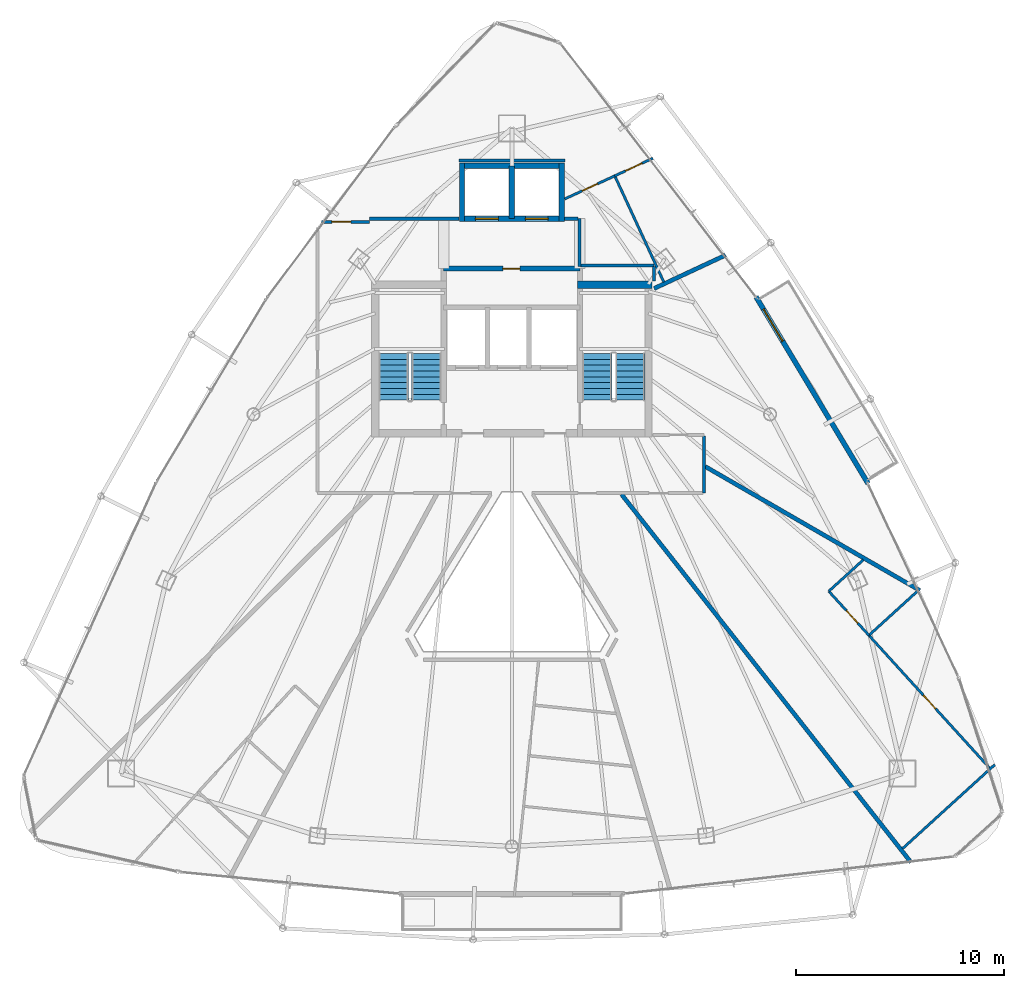
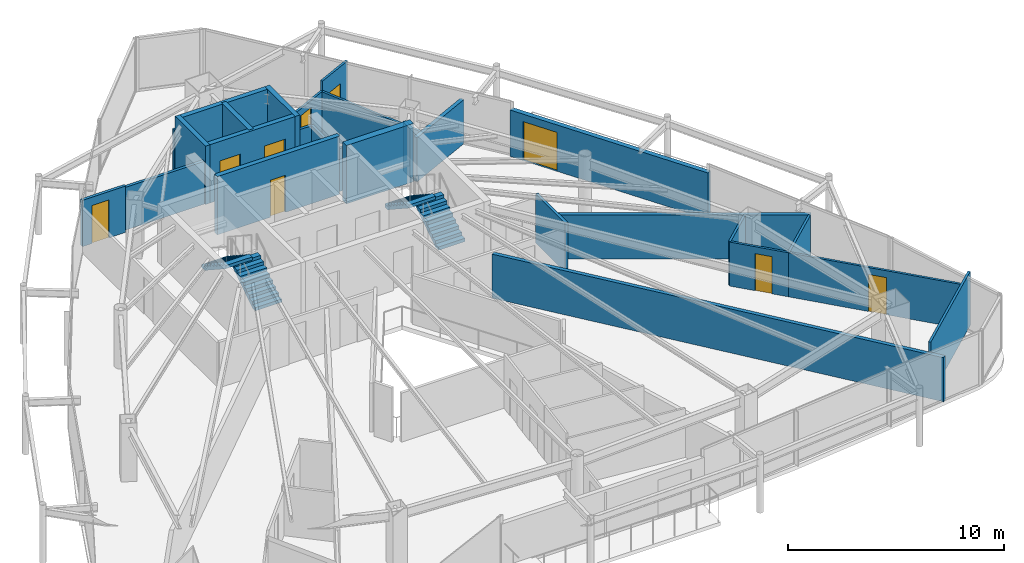
# One storey, part 30 of 33: 27 walls, 9 doors, 4 stair flights, 9 openings, 2 elements without a shape of their own.
"""IFC4 building model written with IfcOpenShell, lengths in metres."""

from ifc_helpers import new_model, si_unit, direction, frame, frame_2d, origin, place, context, subcontext, project, spatial, polyline, rectangle, outline, extrude, material, layer, layer_set, type_object, element, fill, aggregate, save


model = new_model("IFC4")

# Units and contexts
model_context = context("Model", 3, precision=1e-05, world=origin(), true_north=direction((0.0, 1.0)))
body_context = subcontext(model_context, "Body", "Model", "MODEL_VIEW")
ifc_project = project(units=[si_unit("LENGTHUNIT", "METRE"), si_unit("AREAUNIT", "SQUARE_METRE"), si_unit("VOLUMEUNIT", "CUBIC_METRE"), si_unit("PLANEANGLEUNIT", "RADIAN"), si_unit("MASSUNIT", "GRAM", prefix="KILO")], contexts=[model_context])

# Site, building, storey
site_placement = place(None, origin())
site = spatial("IfcSite", under=ifc_project, at=site_placement, CompositionType="ELEMENT")
building_placement = place(site_placement, origin())
building = spatial("IfcBuilding", under=site, at=building_placement, Name="Orvanel Arch Residences", CompositionType="ELEMENT")
storey_placement = place(building_placement, frame((0.0, 0.0, 196.39990234375)))
storey = spatial("IfcBuildingStorey", under=building, at=storey_placement, Name="L55", CompositionType="ELEMENT", Elevation=196.39990234375)

# Wall, opening, door
ifc_material_1 = material(Name="Precast concrete N50 (50 MPa)", Category="concrete")
ifc_layer_1 = layer(ifc_material_1, 0.239990234375)
ifc_layer_set_1 = layer_set([ifc_layer_1], Name="Precast concrete N50 (50 MPa)")
wall_type_1 = type_object("IfcWallType", Name="EW-BAL-240", PredefinedType="SOLIDWALL", material=ifc_layer_set_1)
wall_1_placement = place(storey_placement, frame((50.14892578125, 24.300048828125, 0.0), z_axis=(0.0, 0.0, 1.0), x_axis=(-0.514406779101, 0.857546305231, 0.0)))
wall_1 = element("IfcWall", 1, at=wall_1_placement, inside=storey, type_object=wall_type_1, Name="L55 Balcony Threshold Wall Face 3", PredefinedType="SOLIDWALL", context=body_context, shape_type="SweptSolid", body=[
    extrude(rectangle(XDim=10.49169921875, YDim=0.239990234375, at=frame_2d((5.245849609375, 0.0))), origin(), (0.0, 0.0, 1.0), 2.6240234375),
])
opening_1_placement = place(wall_1_placement, frame((7.993896484375, 0.0, 0.0)))
opening_1 = element("IfcOpeningElement", 2, at=opening_1_placement, cuts=wall_1, Name="Opening DB-180", PredefinedType="OPENING", context=body_context, shape_type="SweptSolid", body=[
    extrude(rectangle(XDim=1.800048828125, YDim=2.199951171875, at=frame_2d((0.89990234375, 1.10009765625))), frame((0.0, 0.1298828125, 0.0), z_axis=(0.0, -1.0, 0.0), x_axis=(1.0, 0.0, 0.0)), (0.0, 0.0, 1.0), 0.260009765625),
])
ifc_material_2 = material(Name="Bronze-anodised aluminium AA6063-T6", Category="aluminium")
door_type_1 = type_object("IfcDoorType", Name="DR-BAL-1800", OperationType="NOTDEFINED", PredefinedType="DOOR", material=ifc_material_2)
door_1_placement = place(opening_1_placement, origin())
door_1 = element("IfcDoor", 3, at=door_1_placement, inside=storey, type_object=door_type_1, Name="DR-L55-BAL-F3 L55 Planted Balcony Access Door Face 3", OperationType="SINGLE_SWING_LEFT", OverallHeight=2.199951171875, OverallWidth=1.800048828125, PredefinedType="DOOR", context=body_context, shape_type="SweptSolid", body=[
    extrude(rectangle(XDim=1.800048828125, YDim=2.199951171875, at=frame_2d((0.89990234375, 1.10009765625))), frame((0.0, 0.02490234375, 0.0), z_axis=(0.0, -1.0, 0.0), x_axis=(1.0, 0.0, 0.0)), (0.0, 0.0, 1.0), 0.050048828125),
])
fill(opening_1, door_1)

ifc_material_3 = material(Name="Concrete N50 (50 MPa)", Category="concrete")
ifc_layer_2 = layer(ifc_material_3, 0.25)
ifc_layer_set_2 = layer_set([ifc_layer_2], Name="Concrete N50 (50 MPa)")
wall_type_2 = type_object("IfcWallType", Name="SW-CORE-250", PredefinedType="SHEAR", material=ifc_layer_set_2)
wall_2_placement = place(storey_placement, frame((29.72509765625, 34.64990234375, 0.0), z_axis=(0.0, 0.0, 1.0), x_axis=(1.0, 0.0, 0.0)))
wall_2 = element("IfcWall", 4, at=wall_2_placement, inside=storey, type_object=wall_type_2, Name="L55 Core Service Band North Shear Wall", PredefinedType="SHEAR", context=body_context, shape_type="SweptSolid", body=[
    extrude(rectangle(XDim=6.5498046875, YDim=0.25, at=frame_2d((3.27490234375, 0.0))), origin(), (0.0, 0.0, 1.0), 3.300048828125),
])
opening_2_placement = place(wall_2_placement, frame((2.840087890625, 0.0, 0.0)))
opening_2 = element("IfcOpeningElement", 5, at=opening_2_placement, cuts=wall_2, Name="Opening DS-082", PredefinedType="OPENING", context=body_context, shape_type="SweptSolid", body=[
    extrude(rectangle(XDim=0.820068359375, YDim=2.10009765625, at=frame_2d((0.41015625, 1.050048828125))), frame((0.0, 0.135009765625, 0.0), z_axis=(0.0, -1.0, 0.0), x_axis=(1.0, 0.0, 0.0)), (0.0, 0.0, 1.0), 0.27001953125),
])
ifc_material_4 = material(Name="Galvanised steel fire-resisting door assembly", Category="steel")
door_type_2 = type_object("IfcDoorType", Name="DR-SVC-820", OperationType="NOTDEFINED", PredefinedType="DOOR", material=ifc_material_4)
door_2_placement = place(opening_2_placement, origin())
door_2 = element("IfcDoor", 6, at=door_2_placement, inside=storey, type_object=door_type_2, Name="DR-L55-CSVC-1 L55 Housekeeping Linen Store Door", OperationType="SINGLE_SWING_LEFT", OverallHeight=2.10009765625, OverallWidth=0.820068359375, PredefinedType="DOOR", context=body_context, shape_type="SweptSolid", body=[
    extrude(rectangle(XDim=0.820068359375, YDim=2.10009765625, at=frame_2d((0.41015625, 1.050048828125))), frame((0.0, 0.02490234375, 0.0), z_axis=(0.0, -1.0, 0.0), x_axis=(1.0, 0.0, 0.0)), (0.0, 0.0, 1.0), 0.050048828125),
])
fill(opening_2, door_2)

# Wall, openings, doors
wall_3_placement = place(storey_placement, frame((35.52490234375, 37.050048828125, 0.0), z_axis=(0.0, 0.0, 1.0), x_axis=(-1.0, 0.0, 0.0)))
wall_3 = element("IfcWall", 7, at=wall_3_placement, inside=storey, type_object=wall_type_2, Name="L55 Passenger Lift Bank Front Shear Wall", PredefinedType="SHEAR", context=body_context, shape_type="SweptSolid", body=[
    extrude(rectangle(XDim=5.0498046875, YDim=0.25, at=frame_2d((2.52490234375, 0.0))), origin(), (0.0, 0.0, 1.0), 3.300048828125),
])
opening_3_placement = place(wall_3_placement, frame((3.175048828125, 0.0, 0.0)))
opening_3 = element("IfcOpeningElement", 8, at=opening_3_placement, cuts=wall_3, Name="Opening LD-110", PredefinedType="OPENING", context=body_context, shape_type="SweptSolid", body=[
    extrude(rectangle(XDim=1.10009765625, YDim=2.199951171875, at=frame_2d((0.550048828125, 1.10009765625))), frame((0.0, 0.135009765625, 0.0), z_axis=(0.0, -1.0, 0.0), x_axis=(1.0, 0.0, 0.0)), (0.0, 0.0, 1.0), 0.27001953125),
])
opening_4_placement = place(wall_3_placement, frame((0.77490234375, 0.0, 0.0)))
opening_4 = element("IfcOpeningElement", 9, at=opening_4_placement, cuts=wall_3, Name="Opening LD-110", PredefinedType="OPENING", context=body_context, shape_type="SweptSolid", body=[
    extrude(rectangle(XDim=1.10009765625, YDim=2.199951171875, at=frame_2d((0.550048828125, 1.10009765625))), frame((0.0, 0.135009765625, 0.0), z_axis=(0.0, -1.0, 0.0), x_axis=(1.0, 0.0, 0.0)), (0.0, 0.0, 1.0), 0.27001953125),
])
door_type_3 = type_object("IfcDoorType", Name="DR-LFT-1100", OperationType="NOTDEFINED", PredefinedType="DOOR", material=ifc_material_4)
door_3_placement = place(opening_3_placement, origin())
door_3 = element("IfcDoor", 10, at=door_3_placement, inside=storey, type_object=door_type_3, Name="LD-P5-L55 L55 Passenger Lift P5 Sliding Landing Door", OperationType="DOUBLE_DOOR_SLIDING", OverallHeight=2.199951171875, OverallWidth=1.10009765625, PredefinedType="DOOR", context=body_context, shape_type="SweptSolid", body=[
    extrude(rectangle(XDim=1.10009765625, YDim=2.199951171875, at=frame_2d((0.550048828125, 1.10009765625))), frame((0.0, 0.02490234375, 0.0), z_axis=(0.0, -1.0, 0.0), x_axis=(1.0, 0.0, 0.0)), (0.0, 0.0, 1.0), 0.050048828125),
])
fill(opening_3, door_3)
door_4_placement = place(opening_4_placement, origin())
door_4 = element("IfcDoor", 11, at=door_4_placement, inside=storey, type_object=door_type_3, Name="LD-P6-L55 L55 Passenger Lift P6 Sliding Landing Door", OperationType="DOUBLE_DOOR_SLIDING", OverallHeight=2.199951171875, OverallWidth=1.10009765625, PredefinedType="DOOR", context=body_context, shape_type="SweptSolid", body=[
    extrude(rectangle(XDim=1.10009765625, YDim=2.199951171875, at=frame_2d((0.550048828125, 1.10009765625))), frame((0.0, 0.02490234375, 0.0), z_axis=(0.0, -1.0, 0.0), x_axis=(1.0, 0.0, 0.0)), (0.0, 0.0, 1.0), 0.050048828125),
])
fill(opening_4, door_4)

# Walls
wall_4_placement = place(storey_placement, frame((30.47509765625, 39.60009765625, 0.0), z_axis=(0.0, 0.0, 1.0), x_axis=(1.0, 0.0, 0.0)))
element("IfcWall", 12, at=wall_4_placement, inside=storey, type_object=wall_type_2, Name="L55 Passenger Lift Bank North Shear Wall", PredefinedType="SHEAR", context=body_context, shape_type="SweptSolid", body=[
    extrude(rectangle(XDim=5.0498046875, YDim=0.25, at=frame_2d((2.52490234375, 0.0))), origin(), (0.0, 0.0, 1.0), 3.300048828125),
])
for number, where, z_axis, x_axis, name in (
    (13, (30.60009765625, 36.925048828125, 0.0), (0.0, 0.0, 1.0), (0.0, 1.0, 0.0), "L55 Passenger Lift Bank West Shear Wall"),
    (14, (35.39990234375, 36.925048828125, 0.0), (0.0, 0.0, 1.0), (0.0, 1.0, 0.0), "L55 Passenger Lift Bank East Shear Wall"),
):
    element("IfcWall", number, at=place(storey_placement, frame(where, z_axis=z_axis, x_axis=x_axis)), inside=storey, type_object=wall_type_2, Name=name, PredefinedType="SHEAR", context=body_context, shape_type="SweptSolid", body=[
        extrude(rectangle(XDim=2.800048828125, YDim=0.25, at=frame_2d((1.39990234375, 0.0))), origin(), (0.0, 0.0, 1.0), 3.300048828125),
    ])
wall_5_placement = place(storey_placement, frame((33.0, 37.050048828125, 0.0), z_axis=(0.0, 0.0, 1.0), x_axis=(0.0, 1.0, 0.0)))
element("IfcWall", 15, at=wall_5_placement, inside=storey, type_object=wall_type_2, Name="L55 Passenger Lift Inter-Shaft Wall P56", PredefinedType="SHEAR", context=body_context, shape_type="SweptSolid", body=[
    extrude(rectangle(XDim=2.550048828125, YDim=0.25, at=frame_2d((1.27490234375, 0.0))), origin(), (0.0, 0.0, 1.0), 3.300048828125),
])
ifc_layer_3 = layer(ifc_material_3, 0.35009765625)
ifc_layer_set_3 = layer_set([ifc_layer_3], Name="Concrete N50 (50 MPa)")
wall_type_3 = type_object("IfcWallType", Name="SW-CORE-350", PredefinedType="SHEAR", material=ifc_layer_set_3)
wall_6_placement = place(storey_placement, frame((36.14990234375, 33.875, 0.0), z_axis=(0.0, 0.0, 1.0), x_axis=(1.0, 0.0, 0.0)))
element("IfcWall", 16, at=wall_6_placement, inside=storey, type_object=wall_type_3, Name="L55 East Stair North Shear Wall", PredefinedType="SHEAR", context=body_context, shape_type="SweptSolid", body=[
    extrude(rectangle(XDim=3.60009765625, YDim=0.35009765625, at=frame_2d((1.800048828125, 0.0))), origin(), (0.0, 0.0, 1.0), 3.300048828125),
])
ifc_material_5 = material(Name="Fire-rated plasterboard lined steel stud partition", Category="steel")
ifc_layer_4 = layer(ifc_material_5, 0.14990234375)
ifc_layer_set_4 = layer_set([ifc_layer_4], Name="Fire-rated plasterboard lined steel stud partition")
wall_type_4 = type_object("IfcWallType", Name="W-COR-150", PredefinedType="PARTITIONING", material=ifc_layer_set_4)
wall_7_placement = place(storey_placement, frame((36.25, 34.760009765625, 0.0), z_axis=(0.0, 0.0, 1.0), x_axis=(0.0, 1.0, 0.0)))
element("IfcWall", 17, at=wall_7_placement, inside=storey, type_object=wall_type_4, Name="L55 Passenger Lift Lobby East Closure Wall", PredefinedType="PARTITIONING", context=body_context, shape_type="SweptSolid", body=[
    extrude(rectangle(XDim=2.2900390625, YDim=0.14990234375, at=frame_2d((1.14501953125, 0.0))), origin(), (0.0, 0.0, 1.0), 2.425048828125),
])
wall_8_placement = place(storey_placement, frame((35.52490234375, 37.050048828125, 0.0), z_axis=(0.0, 0.0, 1.0), x_axis=(1.0, 0.0, 0.0)))
element("IfcWall", 18, at=wall_8_placement, inside=storey, type_object=wall_type_4, Name="L55 Passenger Lift Lobby North-East Wall", PredefinedType="PARTITIONING", context=body_context, shape_type="SweptSolid", body=[
    extrude(rectangle(XDim=0.6650390625, YDim=0.14990234375, at=frame_2d((0.33251953125, 0.0))), origin(), (0.0, 0.0, 1.0), 2.425048828125),
])

# Wall, opening, door
wall_9_placement = place(storey_placement, frame((23.8310546875, 36.89990234375, 0.0), z_axis=(0.0, 0.0, 1.0), x_axis=(1.0, 0.0, 0.0)))
wall_9 = element("IfcWall", 19, at=wall_9_placement, inside=storey, type_object=wall_type_4, Name="L55 Corridor Fire-Rated Partition", PredefinedType="PARTITIONING", context=body_context, shape_type="SweptSolid", body=[
    extrude(rectangle(XDim=2.31884765625, YDim=0.14990234375, at=frame_2d((1.159423828125, 0.0))), origin(), (0.0, 0.0, 1.0), 2.619140625),
])
opening_5_placement = place(wall_9_placement, frame((0.510009765625, 0.0, 0.0)))
opening_5 = element("IfcOpeningElement", 20, at=opening_5_placement, cuts=wall_9, Name="Opening DA-092", PredefinedType="OPENING", context=body_context, shape_type="SweptSolid", body=[
    extrude(rectangle(XDim=0.919921875, YDim=2.14990234375, at=frame_2d((0.4599609375, 1.074951171875))), frame((0.0, 0.0849609375, 0.0), z_axis=(0.0, -1.0, 0.0), x_axis=(1.0, 0.0, 0.0)), (0.0, 0.0, 1.0), 0.169921875),
])
ifc_material_6 = material(Name="Solid-core European oak veneer fire door leaf", Category="wood")
door_type_4 = type_object("IfcDoorType", Name="DR-APT-920", OperationType="NOTDEFINED", PredefinedType="DOOR", material=ifc_material_6)
door_5_placement = place(opening_5_placement, origin())
door_5 = element("IfcDoor", 21, at=door_5_placement, inside=storey, type_object=door_type_4, Name="DR-L55-F-ENT L55 Studio F Entrance Door", OperationType="SINGLE_SWING_LEFT", OverallHeight=2.14990234375, OverallWidth=0.919921875, PredefinedType="DOOR", context=body_context, shape_type="SweptSolid", body=[
    extrude(rectangle(XDim=0.919921875, YDim=2.14990234375, at=frame_2d((0.4599609375, 1.074951171875))), frame((0.0, 0.02490234375, 0.0), z_axis=(0.0, -1.0, 0.0), x_axis=(1.0, 0.0, 0.0)), (0.0, 0.0, 1.0), 0.050048828125),
])
fill(opening_5, door_5)

# Walls
wall_10_placement = place(storey_placement, frame((42.25, 26.590087890625, 0.0), z_axis=(0.0, 0.0, 1.0), x_axis=(0.0, -1.0, 0.0)))
element("IfcWall", 22, at=wall_10_placement, inside=storey, type_object=wall_type_4, Name="L55 Corridor Fire-Rated Partition", PredefinedType="PARTITIONING", context=body_context, shape_type="SweptSolid", body=[
    extrude(rectangle(XDim=2.739990234375, YDim=0.14990234375, at=frame_2d((1.3701171875, 0.0))), origin(), (0.0, 0.0, 1.0), 2.773193359375),
])
wall_11_placement = place(storey_placement, frame((26.14990234375, 37.050048828125, 0.0), z_axis=(0.0, 0.0, 1.0), x_axis=(1.0, 0.0, 0.0)))
element("IfcWall", 23, at=wall_11_placement, inside=storey, type_object=wall_type_4, Name="L55 Core Perimeter Partition", PredefinedType="PARTITIONING", context=body_context, shape_type="SweptSolid", body=[
    extrude(rectangle(XDim=4.300048828125, YDim=0.14990234375, at=frame_2d((2.14990234375, 0.0))), origin(), (0.0, 0.0, 1.0), 2.425048828125),
])
wall_12_placement = place(storey_placement, frame((30.449951171875, 39.85009765625, 0.0), z_axis=(0.0, 0.0, 1.0), x_axis=(1.0, 0.0, 0.0)))
element("IfcWall", 24, at=wall_12_placement, inside=storey, type_object=wall_type_4, Name="L55 Core Perimeter Partition", PredefinedType="PARTITIONING", context=body_context, shape_type="SweptSolid", body=[
    extrude(rectangle(XDim=5.10009765625, YDim=0.14990234375, at=frame_2d((2.550048828125, 0.0))), origin(), (0.0, 0.0, 1.0), 2.4921875),
])
wall_13_placement = place(storey_placement, frame((36.31005859375, 34.800048828125, 0.0), z_axis=(0.0, 0.0, 1.0), x_axis=(1.0, 0.0, 0.0)))
element("IfcWall", 25, at=wall_13_placement, inside=storey, type_object=wall_type_4, Name="L55 Core Perimeter Partition", PredefinedType="PARTITIONING", context=body_context, shape_type="SweptSolid", body=[
    extrude(rectangle(XDim=3.5400390625, YDim=0.14990234375, at=frame_2d((1.77001953125, 0.0))), origin(), (0.0, 0.0, 1.0), 2.425048828125),
])
wall_14_placement = place(storey_placement, frame((39.85009765625, 34.739990234375, 0.0), z_axis=(0.0, 0.0, 1.0), x_axis=(0.0, -1.0, 0.0)))
element("IfcWall", 26, at=wall_14_placement, inside=storey, type_object=wall_type_4, Name="L55 Core Perimeter Partition", PredefinedType="PARTITIONING", context=body_context, shape_type="SweptSolid", body=[
    extrude(rectangle(XDim=0.68994140625, YDim=0.14990234375, at=frame_2d((0.344970703125, 0.0))), origin(), (0.0, 0.0, 1.0), 2.773193359375),
])
ifc_layer_5 = layer(ifc_material_5, 0.199951171875)
ifc_layer_set_5 = layer_set([ifc_layer_5], Name="Fire-rated plasterboard lined steel stud partition")
wall_type_5 = type_object("IfcWallType", Name="W-DEM-200", PredefinedType="PARTITIONING", material=ifc_layer_set_5)
wall_15_placement = place(storey_placement, frame((52.214111328125, 6.072998046875, 0.0), z_axis=(0.0, 0.0, 1.0), x_axis=(-0.618246700658, 0.785984107425, 0.0)))
element("IfcWall", 27, at=wall_15_placement, inside=storey, type_object=wall_type_5, Name="L55 Inter-Tenancy Acoustic Demising Wall", PredefinedType="PARTITIONING", context=body_context, shape_type="SweptSolid", body=[
    extrude(rectangle(XDim=22.541259765625, YDim=0.199951171875, at=frame_2d((11.2705078125, 0.0))), origin(), (0.0, 0.0, 1.0), 2.4921875),
])
wall_16_placement = place(storey_placement, frame((42.31005859375, 25.125, 0.0), z_axis=(0.0, 0.0, 1.0), x_axis=(0.866001812803, -0.500040858552, 0.0)))
element("IfcWall", 28, at=wall_16_placement, inside=storey, type_object=wall_type_5, Name="L55 Inter-Tenancy Acoustic Demising Wall", PredefinedType="PARTITIONING", context=body_context, shape_type="SweptSolid", body=[
    extrude(rectangle(XDim=11.9248046875, YDim=0.199951171875, at=frame_2d((5.96240234375, 0.0))), origin(), (0.0, 0.0, 1.0), 2.4921875),
])
wall_17_placement = place(storey_placement, frame((43.2890625, 35.298095703125, 0.0), z_axis=(0.0, 0.0, 1.0), x_axis=(-0.906268592738, -0.422702304011, 0.0)))
element("IfcWall", 29, at=wall_17_placement, inside=storey, type_object=wall_type_5, Name="L55 Inter-Tenancy Acoustic Demising Wall", PredefinedType="PARTITIONING", context=body_context, shape_type="SweptSolid", body=[
    extrude(rectangle(XDim=3.794677734375, YDim=0.199951171875, at=frame_2d((1.8974609375, 0.0))), origin(), (0.0, 0.0, 1.0), 2.4921875),
])
ifc_material_7 = material(Name="Acoustic plasterboard lined twin-stud partition", Category="gypsum")
ifc_layer_6 = layer(ifc_material_7, 0.1201171875)
ifc_layer_set_6 = layer_set([ifc_layer_6], Name="Acoustic plasterboard lined twin-stud partition")
wall_type_6 = type_object("IfcWallType", Name="W-WET-120", PredefinedType="PARTITIONING", material=ifc_layer_set_6)
wall_18_placement = place(storey_placement, frame((49.9150390625, 20.635009765625, 0.0), z_axis=(0.0, 0.0, 1.0), x_axis=(-0.739748179987, -0.672883816276, 0.0)))
element("IfcWall", 30, at=wall_18_placement, inside=storey, type_object=wall_type_6, Name="L55 Studio C Bathroom Partition", PredefinedType="PARTITIONING", context=body_context, shape_type="SweptSolid", body=[
    extrude(rectangle(XDim=2.24560546875, YDim=0.1201171875, at=frame_2d((1.122802734375, 0.0))), origin(), (0.0, 0.0, 1.0), 2.4921875),
])

# Wall, opening, door
wall_19_placement = place(storey_placement, frame((48.25390625, 19.1240234375, 0.0), z_axis=(0.0, 0.0, 1.0), x_axis=(0.672884473084, -0.739747582546, 0.0)))
wall_19 = element("IfcWall", 31, at=wall_19_placement, inside=storey, type_object=wall_type_6, Name="L55 Studio C Bathroom Partition", PredefinedType="PARTITIONING", context=body_context, shape_type="SweptSolid", body=[
    extrude(rectangle(XDim=2.869873046875, YDim=0.1201171875, at=frame_2d((1.43505859375, 0.0))), origin(), (0.0, 0.0, 1.0), 2.4921875),
])
opening_6_placement = place(wall_19_placement, frame((1.260009765625, 0.0, 0.0)))
opening_6 = element("IfcOpeningElement", 32, at=opening_6_placement, cuts=wall_19, Name="Opening DW-082", PredefinedType="OPENING", context=body_context, shape_type="SweptSolid", body=[
    extrude(rectangle(XDim=0.820068359375, YDim=2.10009765625, at=frame_2d((0.41015625, 1.050048828125))), frame((0.0, 0.070068359375, 0.0), z_axis=(0.0, -1.0, 0.0), x_axis=(1.0, 0.0, 0.0)), (0.0, 0.0, 1.0), 0.14013671875),
])
door_type_5 = type_object("IfcDoorType", Name="DR-WET-820", OperationType="NOTDEFINED", PredefinedType="DOOR", material=ifc_material_6)
door_6_placement = place(opening_6_placement, origin())
door_6 = element("IfcDoor", 33, at=door_6_placement, inside=storey, type_object=door_type_5, Name="DR-L55-C-BATH L55 Studio C Bathroom Door", OperationType="SINGLE_SWING_RIGHT", OverallHeight=2.10009765625, OverallWidth=0.820068359375, PredefinedType="DOOR", context=body_context, shape_type="SweptSolid", body=[
    extrude(rectangle(XDim=0.820068359375, YDim=2.10009765625, at=frame_2d((0.41015625, 1.050048828125))), frame((0.0, 0.02490234375, 0.0), z_axis=(0.0, -1.0, 0.0), x_axis=(1.0, 0.0, 0.0)), (0.0, 0.0, 1.0), 0.050048828125),
])
fill(opening_6, door_6)

wall_20_placement = place(storey_placement, frame((50.18505859375, 17.0009765625, 0.0), z_axis=(0.0, 0.0, 1.0), x_axis=(0.672902356661, -0.739731315005, 0.0)))
wall_20 = element("IfcWall", 34, at=wall_20_placement, inside=storey, type_object=wall_type_6, Name="L55 Studio C Internal Partition", PredefinedType="PARTITIONING", context=body_context, shape_type="SweptSolid", body=[
    extrude(rectangle(XDim=8.679931640625, YDim=0.1201171875, at=frame_2d((4.33984375, 0.0))), origin(), (0.0, 0.0, 1.0), 2.4921875),
])
opening_7_placement = place(wall_20_placement, frame((3.89990234375, 0.0, 0.0)))
opening_7 = element("IfcOpeningElement", 35, at=opening_7_placement, cuts=wall_20, Name="Opening DI-088", PredefinedType="OPENING", context=body_context, shape_type="SweptSolid", body=[
    extrude(rectangle(XDim=0.8798828125, YDim=2.10009765625, at=frame_2d((0.43994140625, 1.050048828125))), frame((0.0, 0.070068359375, 0.0), z_axis=(0.0, -1.0, 0.0), x_axis=(1.0, 0.0, 0.0)), (0.0, 0.0, 1.0), 0.14013671875),
])
door_type_6 = type_object("IfcDoorType", Name="DR-INT-880", OperationType="NOTDEFINED", PredefinedType="DOOR", material=ifc_material_6)
door_7_placement = place(opening_7_placement, origin())
door_7 = element("IfcDoor", 36, at=door_7_placement, inside=storey, type_object=door_type_6, Name="DR-L55-C-KIT L55 Studio C Kitchenette Door", OperationType="SINGLE_SWING_LEFT", OverallHeight=2.10009765625, OverallWidth=0.8798828125, PredefinedType="DOOR", context=body_context, shape_type="SweptSolid", body=[
    extrude(rectangle(XDim=0.8798828125, YDim=2.10009765625, at=frame_2d((0.43994140625, 1.050048828125))), frame((0.0, 0.02490234375, 0.0), z_axis=(0.0, -1.0, 0.0), x_axis=(1.0, 0.0, 0.0)), (0.0, 0.0, 1.0), 0.050048828125),
])
fill(opening_7, door_7)

# Walls
wall_21_placement = place(storey_placement, frame((56.248046875, 10.782958984375, 0.0), z_axis=(0.0, 0.0, 1.0), x_axis=(-0.739671804489, -0.672967771624, 0.0)))
element("IfcWall", 37, at=wall_21_placement, inside=storey, type_object=wall_type_6, Name="L55 Studio C Internal Partition", PredefinedType="PARTITIONING", context=body_context, shape_type="SweptSolid", body=[
    extrude(rectangle(XDim=6.013427734375, YDim=0.1201171875, at=frame_2d((3.0068359375, 0.0))), origin(), (0.0, 0.0, 1.0), 3.06005859375),
])
wall_22_placement = place(storey_placement, frame((52.52392578125, 19.12890625, 0.0), z_axis=(0.0, 0.0, 1.0), x_axis=(-0.739674496232, -0.672964813065, 0.0)))
element("IfcWall", 38, at=wall_22_placement, inside=storey, type_object=wall_type_6, Name="L55 Studio C Bathroom Partition", PredefinedType="PARTITIONING", context=body_context, shape_type="SweptSolid", body=[
    extrude(rectangle(XDim=3.162109375, YDim=0.1201171875, at=frame_2d((1.5810546875, 0.0))), origin(), (0.0, 0.0, 1.0), 2.4921875),
])

# Wall, opening, door
wall_23_placement = place(storey_placement, frame((37.955078125, 39.114013671875, 0.0), z_axis=(0.0, 0.0, 1.0), x_axis=(-0.907945896046, -0.41908740121, 0.0)))
wall_23 = element("IfcWall", 39, at=wall_23_placement, inside=storey, type_object=wall_type_6, Name="L55 Studio F Bathroom Partition", PredefinedType="PARTITIONING", context=body_context, shape_type="SweptSolid", body=[
    extrude(rectangle(XDim=2.64892578125, YDim=0.1201171875, at=frame_2d((1.324462890625, 0.0))), origin(), (0.0, 0.0, 1.0), 2.4921875),
])
opening_8_placement = place(wall_23_placement, frame((0.9140625, 0.0, 0.0)))
opening_8 = element("IfcOpeningElement", 40, at=opening_8_placement, cuts=wall_23, Name="Opening DW-082", PredefinedType="OPENING", context=body_context, shape_type="SweptSolid", body=[
    extrude(rectangle(XDim=0.820068359375, YDim=2.10009765625, at=frame_2d((0.41015625, 1.050048828125))), frame((0.0, 0.070068359375, 0.0), z_axis=(0.0, -1.0, 0.0), x_axis=(1.0, 0.0, 0.0)), (0.0, 0.0, 1.0), 0.14013671875),
])
door_8_placement = place(opening_8_placement, origin())
door_8 = element("IfcDoor", 41, at=door_8_placement, inside=storey, type_object=door_type_5, Name="DR-L55-F-BATH L55 Studio F Bathroom Door", OperationType="SINGLE_SWING_RIGHT", OverallHeight=2.10009765625, OverallWidth=0.820068359375, PredefinedType="DOOR", context=body_context, shape_type="SweptSolid", body=[
    extrude(rectangle(XDim=0.820068359375, YDim=2.10009765625, at=frame_2d((0.41015625, 1.050048828125))), frame((0.0, 0.02490234375, 0.0), z_axis=(0.0, -1.0, 0.0), x_axis=(1.0, 0.0, 0.0)), (0.0, 0.0, 1.0), 0.050048828125),
])
fill(opening_8, door_8)

wall_24_placement = place(storey_placement, frame((39.785888671875, 39.958984375, 0.0), z_axis=(0.0, 0.0, 1.0), x_axis=(-0.90796292821, -0.419050499338, 0.0)))
wall_24 = element("IfcWall", 42, at=wall_24_placement, inside=storey, type_object=wall_type_6, Name="L55 Studio F Internal Partition", PredefinedType="PARTITIONING", context=body_context, shape_type="SweptSolid", body=[
    extrude(rectangle(XDim=2.016357421875, YDim=0.1201171875, at=frame_2d((1.00830078125, 0.0))), origin(), (0.0, 0.0, 1.0), 3.06005859375),
])
opening_9_placement = place(wall_24_placement, frame((0.568115234375, 0.0, 0.0)))
opening_9 = element("IfcOpeningElement", 43, at=opening_9_placement, cuts=wall_24, Name="Opening DI-088", PredefinedType="OPENING", context=body_context, shape_type="SweptSolid", body=[
    extrude(rectangle(XDim=0.8798828125, YDim=2.10009765625, at=frame_2d((0.43994140625, 1.050048828125))), frame((0.0, 0.070068359375, 0.0), z_axis=(0.0, -1.0, 0.0), x_axis=(1.0, 0.0, 0.0)), (0.0, 0.0, 1.0), 0.14013671875),
])
door_9_placement = place(opening_9_placement, origin())
door_9 = element("IfcDoor", 44, at=door_9_placement, inside=storey, type_object=door_type_6, Name="DR-L55-F-KIT L55 Studio F Kitchenette Door", OperationType="SINGLE_SWING_LEFT", OverallHeight=2.10009765625, OverallWidth=0.8798828125, PredefinedType="DOOR", context=body_context, shape_type="SweptSolid", body=[
    extrude(rectangle(XDim=0.8798828125, YDim=2.10009765625, at=frame_2d((0.43994140625, 1.050048828125))), frame((0.0, 0.02490234375, 0.0), z_axis=(0.0, -1.0, 0.0), x_axis=(1.0, 0.0, 0.0)), (0.0, 0.0, 1.0), 0.050048828125),
])
fill(opening_9, door_9)

# Wall
wall_25_placement = place(storey_placement, frame((37.955078125, 39.114013671875, 0.0), z_axis=(0.0, 0.0, 1.0), x_axis=(0.41911319203, -0.907933991139, 0.0)))
element("IfcWall", 45, at=wall_25_placement, inside=storey, type_object=wall_type_6, Name="L55 Studio F Bathroom Partition", PredefinedType="PARTITIONING", context=body_context, shape_type="SweptSolid", body=[
    extrude(rectangle(XDim=5.628173828125, YDim=0.1201171875, at=frame_2d((2.81396484375, 0.0))), origin(), (0.0, 0.0, 1.0), 2.4921875),
])

# Stair, stair flights
stair_type = type_object("IfcStairType", Name="STR-DOG-184", PredefinedType="USERDEFINED", material=ifc_material_1)
stair_1_placement = place(storey_placement, origin())
stair_1 = element("IfcStair", 46, at=stair_1_placement, inside=storey, type_object=stair_type, Name="L55 Fire-Isolated Core Exit Stair 1", ObjectType="TWO_RETURN_STAIR", PredefinedType="USERDEFINED")
stair_flight_type_1 = type_object("IfcStairFlightType", Name="SFL-C1-184", PredefinedType="STRAIGHT", material=ifc_material_1)
stair_flight_1_placement = place(storey_placement, frame((28.889892578125, 28.320068359375, 0.0), z_axis=(0.0, 0.0, 1.0), x_axis=(0.0, 1.0, 0.0)))
stair_flight_1 = element("IfcStairFlight", 47, at=stair_flight_1_placement, type_object=stair_flight_type_1, Name="ST-1 flight 1", NumberOfRisers=9, NumberOfTreads=8, PredefinedType="STRAIGHT", RiserHeight=0.183333333, TreadLength=0.28, context=body_context, shape_type="SweptSolid", body=[
    extrude(outline(polyline([(0.0, 0.0), (0.0, 0.183349609375), (0.280029296875, 0.183349609375), (0.280029296875, 0.36669921875), (0.56005859375, 0.36669921875), (0.56005859375, 0.550048828125), (0.840087890625, 0.550048828125), (0.840087890625, 0.7333984375), (1.1201171875, 0.7333984375), (1.1201171875, 0.916748046875), (1.39990234375, 0.916748046875), (1.39990234375, 1.10009765625), (1.679931640625, 1.10009765625), (1.679931640625, 1.283447265625), (1.9599609375, 1.283447265625), (1.9599609375, 1.466552734375), (2.239990234375, 1.466552734375), (2.239990234375, 1.64990234375), (2.239990234375, 1.28759765625), (0.273681640625, 0.0), (0.0, 0.0)])), frame((0.0, 0.7099609375, 0.0), z_axis=(0.0, -1.0, 0.0), x_axis=(1.0, 0.0, 0.0)), (0.0, 0.0, 1.0), 1.419921875),
])
stair_flight_2_placement = place(storey_placement, frame((27.31005859375, 30.56005859375, 1.650146484375), z_axis=(0.0, 0.0, 1.0), x_axis=(0.0, -1.0, 0.0)))
stair_flight_2 = element("IfcStairFlight", 48, at=stair_flight_2_placement, type_object=stair_flight_type_1, Name="ST-1 flight 2", NumberOfRisers=9, NumberOfTreads=8, PredefinedType="STRAIGHT", RiserHeight=0.183333333, TreadLength=0.28, context=body_context, shape_type="SweptSolid", body=[
    extrude(outline(polyline([(0.0, 0.0), (0.0, 0.183349609375), (0.280029296875, 0.183349609375), (0.280029296875, 0.36669921875), (0.56005859375, 0.36669921875), (0.56005859375, 0.550048828125), (0.840087890625, 0.550048828125), (0.840087890625, 0.7333984375), (1.1201171875, 0.7333984375), (1.1201171875, 0.916748046875), (1.39990234375, 0.916748046875), (1.39990234375, 1.10009765625), (1.679931640625, 1.10009765625), (1.679931640625, 1.283447265625), (1.9599609375, 1.283447265625), (1.9599609375, 1.466552734375), (2.239990234375, 1.466552734375), (2.239990234375, 1.64990234375), (2.239990234375, 1.28759765625), (0.273681640625, 0.0), (0.0, 0.0)])), frame((0.0, 0.7099609375, 0.0), z_axis=(0.0, -1.0, 0.0), x_axis=(1.0, 0.0, 0.0)), (0.0, 0.0, 1.0), 1.419921875),
])
aggregate(stair_1, [stair_flight_1, stair_flight_2])

stair_2_placement = place(storey_placement, origin())
stair_2 = element("IfcStair", 49, at=stair_2_placement, inside=storey, type_object=stair_type, Name="L55 Fire-Isolated Core Exit Stair 2", ObjectType="TWO_RETURN_STAIR", PredefinedType="USERDEFINED")
stair_flight_type_2 = type_object("IfcStairFlightType", Name="SFL-C2-184", PredefinedType="STRAIGHT", material=ifc_material_1)
stair_flight_3_placement = place(storey_placement, frame((38.68994140625, 28.320068359375, 0.0), z_axis=(0.0, 0.0, 1.0), x_axis=(0.0, 1.0, 0.0)))
stair_flight_3 = element("IfcStairFlight", 50, at=stair_flight_3_placement, type_object=stair_flight_type_2, Name="ST-2 flight 1", NumberOfRisers=9, NumberOfTreads=8, PredefinedType="STRAIGHT", RiserHeight=0.183333333, TreadLength=0.28, context=body_context, shape_type="SweptSolid", body=[
    extrude(outline(polyline([(0.0, 0.0), (0.0, 0.183349609375), (0.280029296875, 0.183349609375), (0.280029296875, 0.36669921875), (0.56005859375, 0.36669921875), (0.56005859375, 0.550048828125), (0.840087890625, 0.550048828125), (0.840087890625, 0.7333984375), (1.1201171875, 0.7333984375), (1.1201171875, 0.916748046875), (1.39990234375, 0.916748046875), (1.39990234375, 1.10009765625), (1.679931640625, 1.10009765625), (1.679931640625, 1.283447265625), (1.9599609375, 1.283447265625), (1.9599609375, 1.466552734375), (2.239990234375, 1.466552734375), (2.239990234375, 1.64990234375), (2.239990234375, 1.28759765625), (0.273681640625, 0.0), (0.0, 0.0)])), frame((0.0, 0.7099609375, 0.0), z_axis=(0.0, -1.0, 0.0), x_axis=(1.0, 0.0, 0.0)), (0.0, 0.0, 1.0), 1.419921875),
])
stair_flight_4_placement = place(storey_placement, frame((37.110107421875, 30.56005859375, 1.650146484375), z_axis=(0.0, 0.0, 1.0), x_axis=(0.0, -1.0, 0.0)))
stair_flight_4 = element("IfcStairFlight", 51, at=stair_flight_4_placement, type_object=stair_flight_type_2, Name="ST-2 flight 2", NumberOfRisers=9, NumberOfTreads=8, PredefinedType="STRAIGHT", RiserHeight=0.183333333, TreadLength=0.28, context=body_context, shape_type="SweptSolid", body=[
    extrude(outline(polyline([(0.0, 0.0), (0.0, 0.183349609375), (0.280029296875, 0.183349609375), (0.280029296875, 0.36669921875), (0.56005859375, 0.36669921875), (0.56005859375, 0.550048828125), (0.840087890625, 0.550048828125), (0.840087890625, 0.7333984375), (1.1201171875, 0.7333984375), (1.1201171875, 0.916748046875), (1.39990234375, 0.916748046875), (1.39990234375, 1.10009765625), (1.679931640625, 1.10009765625), (1.679931640625, 1.283447265625), (1.9599609375, 1.283447265625), (1.9599609375, 1.466552734375), (2.239990234375, 1.466552734375), (2.239990234375, 1.64990234375), (2.239990234375, 1.28759765625), (0.273681640625, 0.0), (0.0, 0.0)])), frame((0.0, 0.7099609375, 0.0), z_axis=(0.0, -1.0, 0.0), x_axis=(1.0, 0.0, 0.0)), (0.0, 0.0, 1.0), 1.419921875),
])
aggregate(stair_2, [stair_flight_3, stair_flight_4])

save(model, "model.ifc")
